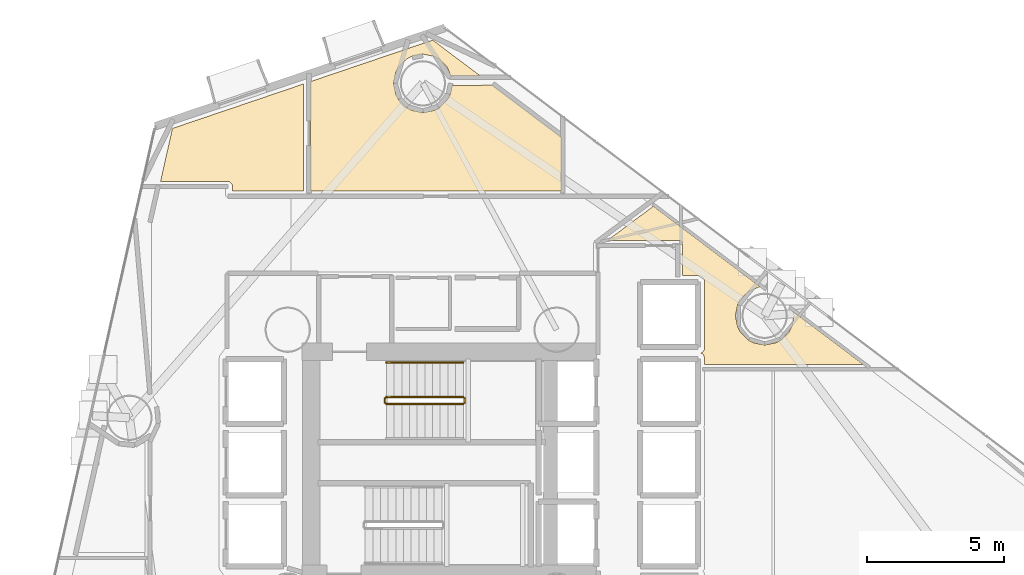
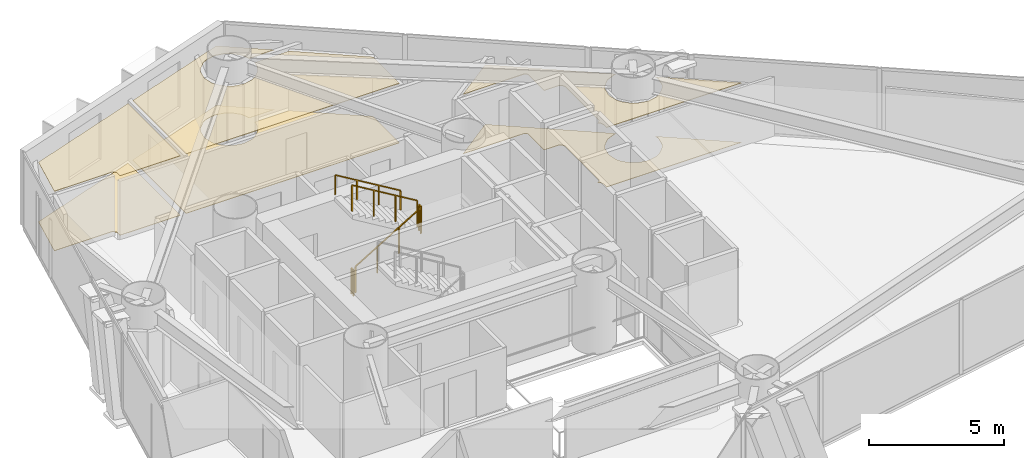
# One storey, part 21 of 22: 6 coverings, 5 railings.
"""IFC4 building model written with IfcOpenShell, lengths in metres."""

from ifc_helpers import new_model, si_unit, direction, frame, origin, origin_2d, place, context, subcontext, project, spatial, polyline, rectangle, outline, extrude, material, layer, layer_set, type_object, element, save


model = new_model("IFC4")

# Units and contexts
model_context = context("Model", 3, precision=1e-05, world=origin(), true_north=direction((0.0, 1.0)))
body_context = subcontext(model_context, "Body", "Model", "MODEL_VIEW")
ifc_project = project(units=[si_unit("LENGTHUNIT", "METRE"), si_unit("AREAUNIT", "SQUARE_METRE"), si_unit("VOLUMEUNIT", "CUBIC_METRE"), si_unit("PLANEANGLEUNIT", "RADIAN"), si_unit("MASSUNIT", "GRAM", prefix="KILO")], contexts=[model_context])

# Site, building, storey
site_placement = place(None, origin())
site = spatial("IfcSite", under=ifc_project, at=site_placement, CompositionType="ELEMENT")
building_placement = place(site_placement, origin())
building = spatial("IfcBuilding", under=site, at=building_placement, Name="Qianvela Tower", CompositionType="ELEMENT")
storey_placement = place(building_placement, frame((0.0, 0.0, 89.5)))
storey = spatial("IfcBuildingStorey", under=building, at=storey_placement, Name="L22", CompositionType="ELEMENT", Elevation=89.5)

# Coverings
ifc_material_1 = material(Name="Perforated Mineral Acoustic Ceiling Tile")
ifc_layer_1 = layer(ifc_material_1, 0.02490234375)
ifc_layer_set_1 = layer_set([ifc_layer_1], Name="Perforated Mineral Acoustic Ceiling Tile")
covering_type_1 = type_object("IfcCoveringType", Name="COV-CEIL-ACOUSTIC-25", PredefinedType="CEILING", material=ifc_layer_set_1)
covering_1_placement = place(storey_placement, frame((0.0, 0.0, 2.695068359375)))
element("IfcCovering", 1, at=covering_1_placement, inside=storey, type_object=covering_type_1, Name="L22 Acoustic Ceiling Digital Research Office L22-03", PredefinedType="CEILING", context=body_context, shape_type="SweptSolid", body=[
    extrude(outline(polyline([(43.65283203125, 32.698486328125), (43.680908203125, 32.70703125), (43.6884765625, 32.709716796875), (43.695556640625, 32.712890625), (43.7021484375, 32.717041015625), (43.70849609375, 32.7216796875), (43.71435546875, 32.72705078125), (43.719482421875, 32.73291015625), (43.771240234375, 32.795654296875), (43.77587890625, 32.802001953125), (43.77978515625, 32.80859375), (43.783203125, 32.815673828125), (43.785888671875, 32.822998046875), (43.787841796875, 32.83056640625), (43.788818359375, 32.83837890625), (43.789306640625, 32.84619140625), (43.79736328125, 35.3271484375), (43.797119140625, 35.334228515625), (43.7958984375, 35.341552734375), (43.79443359375, 35.348388671875), (43.792236328125, 35.35546875), (43.789306640625, 35.362060546875), (43.785888671875, 35.368408203125), (43.7373046875, 35.44921875), (43.732666015625, 35.456298828125), (43.727294921875, 35.462890625), (43.72119140625, 35.46875), (43.71435546875, 35.47412109375), (43.70703125, 35.478515625), (43.699462890625, 35.482177734375), (43.624267578125, 35.51318359375), (43.616943359375, 35.515869140625), (43.609375, 35.517822265625), (43.6015625, 35.518798828125), (43.59375, 35.519287109375), (42.998779296875, 35.52001953125), (42.99169921875, 36.701171875), (42.991455078125, 36.70947265625), (42.989990234375, 36.71728515625), (42.988037109375, 36.725341796875), (42.985107421875, 36.73291015625), (42.9814453125, 36.740234375), (42.97705078125, 36.7470703125), (42.971923828125, 36.75341796875), (42.96630859375, 36.759521484375), (42.9599609375, 36.7646484375), (42.953125, 36.769287109375), (42.946044921875, 36.773193359375), (42.88427734375, 36.80224609375), (42.8759765625, 36.8056640625), (42.867431640625, 36.80810546875), (42.85888671875, 36.8095703125), (42.85009765625, 36.81005859375), (40.26220703125, 36.81005859375), (41.926513671875, 38.049560546875), (45.8349609375, 35.10498046875), (45.78857421875, 35.10302734375), (45.781494140625, 35.102294921875), (45.774658203125, 35.101318359375), (45.767822265625, 35.099365234375), (45.76123046875, 35.096923828125), (45.406005859375, 34.949951171875), (45.399169921875, 34.946533203125), (45.392333984375, 34.9423828125), (45.385986328125, 34.937744140625), (45.380126953125, 34.9326171875), (45.1083984375, 34.660888671875), (45.103271484375, 34.655029296875), (45.098388671875, 34.648681640625), (45.094482421875, 34.641845703125), (45.00341796875, 34.4716796875), (45.0, 34.464599609375), (44.997314453125, 34.457275390625), (44.99560546875, 34.44970703125), (44.92041015625, 34.072509765625), (44.91943359375, 34.064697265625), (44.9189453125, 34.056884765625), (44.91943359375, 34.04931640625), (44.92041015625, 34.04150390625), (44.99560546875, 33.664306640625), (44.997314453125, 33.65673828125), (45.0, 33.6494140625), (45.00341796875, 33.642333984375), (45.094482421875, 33.47216796875), (45.098388671875, 33.46533203125), (45.103271484375, 33.458984375), (45.1083984375, 33.453125), (45.380126953125, 33.181396484375), (45.385986328125, 33.17626953125), (45.392333984375, 33.17138671875), (45.399169921875, 33.16748046875), (45.5693359375, 33.076416015625), (45.576416015625, 33.072998046875), (45.583740234375, 33.0703125), (45.59130859375, 33.068603515625), (45.968505859375, 32.993408203125), (45.976318359375, 32.992431640625), (45.98388671875, 32.991943359375), (45.99169921875, 32.992431640625), (45.99951171875, 32.993408203125), (46.376708984375, 33.068603515625), (46.38427734375, 33.0703125), (46.3916015625, 33.072998046875), (46.398681640625, 33.076416015625), (46.56884765625, 33.16748046875), (46.57568359375, 33.17138671875), (46.58203125, 33.17626953125), (46.587890625, 33.181396484375), (46.859619140625, 33.453125), (46.86474609375, 33.458984375), (46.869384765625, 33.46533203125), (46.87353515625, 33.47216796875), (46.964599609375, 33.642333984375), (46.968017578125, 33.6494140625), (46.970703125, 33.65673828125), (46.972412109375, 33.664306640625), (47.047607421875, 34.04150390625), (47.048583984375, 34.049072265625), (47.049072265625, 34.056640625), (47.048583984375, 34.064208984375), (47.047607421875, 34.07177734375), (47.021484375, 34.211181640625), (49.584716796875, 32.280029296875), (43.800048828125, 32.280029296875), (43.800048828125, 32.5), (43.799560546875, 32.509033203125), (43.7978515625, 32.518310546875), (43.79541015625, 32.527099609375), (43.763427734375, 32.61572265625), (43.7607421875, 32.62255859375), (43.75732421875, 32.629150390625), (43.75341796875, 32.63525390625), (43.748779296875, 32.64111328125), (43.74365234375, 32.646484375), (43.73828125, 32.6513671875), (43.732421875, 32.655517578125), (43.725830078125, 32.659423828125), (43.65283203125, 32.698486328125)])), origin(), (0.0, 0.0, 1.0), 0.02490234375),
])
covering_2_placement = place(storey_placement, frame((0.0, 0.0, 2.695068359375)))
element("IfcCovering", 2, at=covering_2_placement, inside=storey, type_object=covering_type_1, Name="L22 Acoustic Ceiling Student Tea Pantry L22-04", PredefinedType="CEILING", context=body_context, shape_type="SweptSolid", body=[
    extrude(outline(polyline([(29.422119140625, 38.610107421875), (29.422119140625, 42.591552734375), (33.886474609375, 44.106689453125), (35.620361328125, 42.80029296875), (34.5458984375, 42.797607421875), (34.4189453125, 43.106689453125), (34.41552734375, 43.11376953125), (34.41162109375, 43.12060546875), (34.406982421875, 43.126953125), (34.401611328125, 43.1328125), (34.1298828125, 43.404541015625), (34.1240234375, 43.409912109375), (34.11767578125, 43.41455078125), (34.11083984375, 43.418701171875), (33.940673828125, 43.509521484375), (33.93359375, 43.512939453125), (33.92626953125, 43.515625), (33.918701171875, 43.517578125), (33.54150390625, 43.592529296875), (33.53369140625, 43.593505859375), (33.52587890625, 43.593994140625), (33.518310546875, 43.593505859375), (33.510498046875, 43.592529296875), (33.13330078125, 43.517578125), (33.125732421875, 43.515625), (33.118408203125, 43.512939453125), (33.111328125, 43.509521484375), (32.941162109375, 43.418701171875), (32.934326171875, 43.41455078125), (32.927978515625, 43.409912109375), (32.922119140625, 43.404541015625), (32.650390625, 43.1328125), (32.645263671875, 43.126953125), (32.640380859375, 43.12060546875), (32.636474609375, 43.114013671875), (32.54541015625, 42.943603515625), (32.5419921875, 42.9365234375), (32.539306640625, 42.92919921875), (32.53759765625, 42.921630859375), (32.46240234375, 42.544677734375), (32.46142578125, 42.536865234375), (32.4609375, 42.529052734375), (32.46142578125, 42.521240234375), (32.46240234375, 42.513427734375), (32.53759765625, 42.136474609375), (32.539306640625, 42.12890625), (32.5419921875, 42.121337890625), (32.54541015625, 42.1142578125), (32.636474609375, 41.944091796875), (32.640380859375, 41.937255859375), (32.645263671875, 41.930908203125), (32.650390625, 41.92529296875), (32.922119140625, 41.6533203125), (32.927978515625, 41.648193359375), (32.934326171875, 41.6435546875), (32.941162109375, 41.639404296875), (33.111328125, 41.54833984375), (33.118408203125, 41.545166015625), (33.125732421875, 41.54248046875), (33.13330078125, 41.54052734375), (33.510498046875, 41.465576171875), (33.518310546875, 41.46435546875), (33.52587890625, 41.464111328125), (33.53369140625, 41.46435546875), (33.54150390625, 41.465576171875), (33.918701171875, 41.54052734375), (33.92626953125, 41.54248046875), (33.93359375, 41.545166015625), (33.940673828125, 41.54833984375), (34.11083984375, 41.639404296875), (34.11767578125, 41.6435546875), (34.1240234375, 41.648193359375), (34.1298828125, 41.6533203125), (34.401611328125, 41.92529296875), (34.40673828125, 41.930908203125), (34.41162109375, 41.937255859375), (34.41552734375, 41.944091796875), (34.506591796875, 42.1142578125), (34.510009765625, 42.121337890625), (34.5126953125, 42.12890625), (34.568603515625, 42.313720703125), (34.570556640625, 42.321533203125), (34.57177734375, 42.32958984375), (34.583251953125, 42.457763671875), (36.0703125, 42.46142578125), (38.577880859375, 40.572021484375), (38.577880859375, 38.610107421875), (29.422119140625, 38.610107421875)])), origin(), (0.0, 0.0, 1.0), 0.02490234375),
])
covering_3_placement = place(storey_placement, frame((0.0, 0.0, 2.695068359375)))
element("IfcCovering", 3, at=covering_3_placement, inside=storey, type_object=covering_type_1, Name="L22 Acoustic Ceiling Floor Dining Kitchen L22-05", PredefinedType="CEILING", context=body_context, shape_type="SweptSolid", body=[
    extrude(outline(polyline([(29.177978515625, 38.610107421875), (26.57958984375, 38.610107421875), (26.57861328125, 38.81591796875), (26.577880859375, 38.82421875), (26.57666015625, 38.83251953125), (26.574462890625, 38.840576171875), (26.571533203125, 38.84814453125), (26.567626953125, 38.855712890625), (26.563232421875, 38.862548828125), (26.55810546875, 38.868896484375), (26.55224609375, 38.875), (26.481689453125, 38.93896484375), (26.47509765625, 38.944091796875), (26.468017578125, 38.94873046875), (26.46044921875, 38.95263671875), (26.45263671875, 38.955810546875), (26.444580078125, 38.957763671875), (26.436279296875, 38.959228515625), (26.427978515625, 38.959716796875), (23.9658203125, 38.9599609375), (24.39794921875, 40.886474609375), (29.177978515625, 42.5087890625), (29.177978515625, 38.610107421875)])), origin(), (0.0, 0.0, 1.0), 0.02490234375),
])
ifc_material_2 = material(Name="Engineered Acoustic Oak Timber Flooring", Category="wood")
ifc_layer_2 = layer(ifc_material_2, 0.02001953125)
ifc_layer_set_2 = layer_set([ifc_layer_2], Name="Engineered Acoustic Oak Timber Flooring")
covering_type_2 = type_object("IfcCoveringType", Name="COV-FLOOR-OAK-20", PredefinedType="FLOORING", material=ifc_layer_set_2)
covering_4_placement = place(storey_placement, origin())
element("IfcCovering", 4, at=covering_4_placement, inside=storey, type_object=covering_type_2, Name="L22 Finish Flooring Digital Research Office L22-03", PredefinedType="FLOORING", context=body_context, shape_type="SweptSolid", body=[
    extrude(outline(polyline([(43.65283203125, 32.698486328125), (43.680908203125, 32.70703125), (43.6884765625, 32.709716796875), (43.695556640625, 32.712890625), (43.7021484375, 32.717041015625), (43.70849609375, 32.7216796875), (43.71435546875, 32.72705078125), (43.719482421875, 32.73291015625), (43.771240234375, 32.795654296875), (43.77587890625, 32.802001953125), (43.77978515625, 32.80859375), (43.783203125, 32.815673828125), (43.785888671875, 32.822998046875), (43.787841796875, 32.83056640625), (43.788818359375, 32.83837890625), (43.789306640625, 32.84619140625), (43.79736328125, 35.3271484375), (43.797119140625, 35.334228515625), (43.7958984375, 35.341552734375), (43.79443359375, 35.348388671875), (43.792236328125, 35.35546875), (43.789306640625, 35.362060546875), (43.785888671875, 35.368408203125), (43.7373046875, 35.44921875), (43.732666015625, 35.456298828125), (43.727294921875, 35.462890625), (43.72119140625, 35.46875), (43.71435546875, 35.47412109375), (43.70703125, 35.478515625), (43.699462890625, 35.482177734375), (43.624267578125, 35.51318359375), (43.616943359375, 35.515869140625), (43.609375, 35.517822265625), (43.6015625, 35.518798828125), (43.59375, 35.519287109375), (42.998779296875, 35.52001953125), (42.99169921875, 36.701171875), (42.991455078125, 36.70947265625), (42.989990234375, 36.71728515625), (42.988037109375, 36.725341796875), (42.985107421875, 36.73291015625), (42.9814453125, 36.740234375), (42.97705078125, 36.7470703125), (42.971923828125, 36.75341796875), (42.96630859375, 36.759521484375), (42.9599609375, 36.7646484375), (42.953125, 36.769287109375), (42.946044921875, 36.773193359375), (42.88427734375, 36.80224609375), (42.8759765625, 36.8056640625), (42.867431640625, 36.80810546875), (42.85888671875, 36.8095703125), (42.85009765625, 36.81005859375), (40.26220703125, 36.81005859375), (41.926513671875, 38.049560546875), (45.8349609375, 35.10498046875), (45.78857421875, 35.10302734375), (45.781494140625, 35.102294921875), (45.774658203125, 35.101318359375), (45.767822265625, 35.099365234375), (45.76123046875, 35.096923828125), (45.406005859375, 34.949951171875), (45.399169921875, 34.946533203125), (45.392333984375, 34.9423828125), (45.385986328125, 34.937744140625), (45.380126953125, 34.9326171875), (45.1083984375, 34.660888671875), (45.103271484375, 34.655029296875), (45.098388671875, 34.648681640625), (45.094482421875, 34.641845703125), (45.00341796875, 34.4716796875), (45.0, 34.464599609375), (44.997314453125, 34.457275390625), (44.99560546875, 34.44970703125), (44.92041015625, 34.072509765625), (44.91943359375, 34.064697265625), (44.9189453125, 34.056884765625), (44.91943359375, 34.04931640625), (44.92041015625, 34.04150390625), (44.99560546875, 33.664306640625), (44.997314453125, 33.65673828125), (45.0, 33.6494140625), (45.00341796875, 33.642333984375), (45.094482421875, 33.47216796875), (45.098388671875, 33.46533203125), (45.103271484375, 33.458984375), (45.1083984375, 33.453125), (45.380126953125, 33.181396484375), (45.385986328125, 33.17626953125), (45.392333984375, 33.17138671875), (45.399169921875, 33.16748046875), (45.5693359375, 33.076416015625), (45.576416015625, 33.072998046875), (45.583740234375, 33.0703125), (45.59130859375, 33.068603515625), (45.968505859375, 32.993408203125), (45.976318359375, 32.992431640625), (45.98388671875, 32.991943359375), (45.99169921875, 32.992431640625), (45.99951171875, 32.993408203125), (46.376708984375, 33.068603515625), (46.38427734375, 33.0703125), (46.3916015625, 33.072998046875), (46.398681640625, 33.076416015625), (46.56884765625, 33.16748046875), (46.57568359375, 33.17138671875), (46.58203125, 33.17626953125), (46.587890625, 33.181396484375), (46.859619140625, 33.453125), (46.86474609375, 33.458984375), (46.869384765625, 33.46533203125), (46.87353515625, 33.47216796875), (46.964599609375, 33.642333984375), (46.968017578125, 33.6494140625), (46.970703125, 33.65673828125), (46.972412109375, 33.664306640625), (47.047607421875, 34.04150390625), (47.048583984375, 34.049072265625), (47.049072265625, 34.056640625), (47.048583984375, 34.064208984375), (47.047607421875, 34.07177734375), (47.021484375, 34.211181640625), (49.584716796875, 32.280029296875), (43.800048828125, 32.280029296875), (43.800048828125, 32.5), (43.799560546875, 32.509033203125), (43.7978515625, 32.518310546875), (43.79541015625, 32.527099609375), (43.763427734375, 32.61572265625), (43.7607421875, 32.62255859375), (43.75732421875, 32.629150390625), (43.75341796875, 32.63525390625), (43.748779296875, 32.64111328125), (43.74365234375, 32.646484375), (43.73828125, 32.6513671875), (43.732421875, 32.655517578125), (43.725830078125, 32.659423828125), (43.65283203125, 32.698486328125)])), origin(), (0.0, 0.0, 1.0), 0.02001953125),
])
covering_5_placement = place(storey_placement, origin())
element("IfcCovering", 5, at=covering_5_placement, inside=storey, type_object=covering_type_2, Name="L22 Finish Flooring Student Tea Pantry L22-04", PredefinedType="FLOORING", context=body_context, shape_type="SweptSolid", body=[
    extrude(outline(polyline([(29.422119140625, 38.610107421875), (29.422119140625, 42.591552734375), (33.886474609375, 44.106689453125), (35.620361328125, 42.80029296875), (34.5458984375, 42.797607421875), (34.4189453125, 43.106689453125), (34.41552734375, 43.11376953125), (34.41162109375, 43.12060546875), (34.406982421875, 43.126953125), (34.401611328125, 43.1328125), (34.1298828125, 43.404541015625), (34.1240234375, 43.409912109375), (34.11767578125, 43.41455078125), (34.11083984375, 43.418701171875), (33.940673828125, 43.509521484375), (33.93359375, 43.512939453125), (33.92626953125, 43.515625), (33.918701171875, 43.517578125), (33.54150390625, 43.592529296875), (33.53369140625, 43.593505859375), (33.52587890625, 43.593994140625), (33.518310546875, 43.593505859375), (33.510498046875, 43.592529296875), (33.13330078125, 43.517578125), (33.125732421875, 43.515625), (33.118408203125, 43.512939453125), (33.111328125, 43.509521484375), (32.941162109375, 43.418701171875), (32.934326171875, 43.41455078125), (32.927978515625, 43.409912109375), (32.922119140625, 43.404541015625), (32.650390625, 43.1328125), (32.645263671875, 43.126953125), (32.640380859375, 43.12060546875), (32.636474609375, 43.114013671875), (32.54541015625, 42.943603515625), (32.5419921875, 42.9365234375), (32.539306640625, 42.92919921875), (32.53759765625, 42.921630859375), (32.46240234375, 42.544677734375), (32.46142578125, 42.536865234375), (32.4609375, 42.529052734375), (32.46142578125, 42.521240234375), (32.46240234375, 42.513427734375), (32.53759765625, 42.136474609375), (32.539306640625, 42.12890625), (32.5419921875, 42.121337890625), (32.54541015625, 42.1142578125), (32.636474609375, 41.944091796875), (32.640380859375, 41.937255859375), (32.645263671875, 41.930908203125), (32.650390625, 41.92529296875), (32.922119140625, 41.6533203125), (32.927978515625, 41.648193359375), (32.934326171875, 41.6435546875), (32.941162109375, 41.639404296875), (33.111328125, 41.54833984375), (33.118408203125, 41.545166015625), (33.125732421875, 41.54248046875), (33.13330078125, 41.54052734375), (33.510498046875, 41.465576171875), (33.518310546875, 41.46435546875), (33.52587890625, 41.464111328125), (33.53369140625, 41.46435546875), (33.54150390625, 41.465576171875), (33.918701171875, 41.54052734375), (33.92626953125, 41.54248046875), (33.93359375, 41.545166015625), (33.940673828125, 41.54833984375), (34.11083984375, 41.639404296875), (34.11767578125, 41.6435546875), (34.1240234375, 41.648193359375), (34.1298828125, 41.6533203125), (34.401611328125, 41.92529296875), (34.40673828125, 41.930908203125), (34.41162109375, 41.937255859375), (34.41552734375, 41.944091796875), (34.506591796875, 42.1142578125), (34.510009765625, 42.121337890625), (34.5126953125, 42.12890625), (34.568603515625, 42.313720703125), (34.570556640625, 42.321533203125), (34.57177734375, 42.32958984375), (34.583251953125, 42.457763671875), (36.0703125, 42.46142578125), (38.577880859375, 40.572021484375), (38.577880859375, 38.610107421875), (29.422119140625, 38.610107421875)])), origin(), (0.0, 0.0, 1.0), 0.02001953125),
])
covering_6_placement = place(storey_placement, origin())
element("IfcCovering", 6, at=covering_6_placement, inside=storey, type_object=covering_type_2, Name="L22 Finish Flooring Floor Dining Kitchen L22-05", PredefinedType="FLOORING", context=body_context, shape_type="SweptSolid", body=[
    extrude(outline(polyline([(29.177978515625, 38.610107421875), (26.57958984375, 38.610107421875), (26.57861328125, 38.81591796875), (26.577880859375, 38.82421875), (26.57666015625, 38.83251953125), (26.574462890625, 38.840576171875), (26.571533203125, 38.84814453125), (26.567626953125, 38.855712890625), (26.563232421875, 38.862548828125), (26.55810546875, 38.868896484375), (26.55224609375, 38.875), (26.481689453125, 38.93896484375), (26.47509765625, 38.944091796875), (26.468017578125, 38.94873046875), (26.46044921875, 38.95263671875), (26.45263671875, 38.955810546875), (26.444580078125, 38.957763671875), (26.436279296875, 38.959228515625), (26.427978515625, 38.959716796875), (23.9658203125, 38.9599609375), (24.39794921875, 40.886474609375), (29.177978515625, 42.5087890625), (29.177978515625, 38.610107421875)])), origin(), (0.0, 0.0, 1.0), 0.02001953125),
])

# Railings
ifc_material_3 = material(Name="Painted Tubular Steel Q355B", Category="steel")
railing_type_1 = type_object("IfcRailingType", Name="RL-STAIR-GUARD-1200", PredefinedType="GUARDRAIL", material=ifc_material_3)
railing_1_placement = place(storey_placement, frame((32.199951171875, 30.840087890625, 0.168212890625)))
element("IfcRailing", 7, at=railing_1_placement, inside=storey, type_object=railing_type_1, Name="L22 ST-1 stair guard 1", PredefinedType="GUARDRAIL", context=body_context, shape_type="SweptSolid", body=[
    extrude(rectangle(XDim=0.050048828125, YDim=0.0400390625, at=origin_2d()), frame((0.0, 0.0, 1.179931640625), z_axis=(0.857242210791, 0.0, 0.514913383045), x_axis=(0.0, 1.0, 0.0)), (0.0, 0.0, 1.0), 3.266357421875),
    extrude(rectangle(XDim=0.050048828125, YDim=0.050048828125, at=origin_2d()), origin(), (0.0, 0.0, 1.0), 1.159912109375),
    extrude(rectangle(XDim=0.050048828125, YDim=0.050048828125, at=origin_2d()), frame((0.933349609375, 0.0, 0.560546875)), (0.0, 0.0, 1.0), 1.159912109375),
    extrude(rectangle(XDim=0.050048828125, YDim=0.050048828125, at=origin_2d()), frame((1.86669921875, 0.0, 1.121337890625)), (0.0, 0.0, 1.0), 1.159912109375),
    extrude(rectangle(XDim=0.050048828125, YDim=0.050048828125, at=origin_2d()), frame((2.800048828125, 0.0, 1.681884765625)), (0.0, 0.0, 1.0), 1.159912109375),
])
railing_2_placement = place(storey_placement, frame((35.050048828125, 30.889892578125, 1.85009765625)))
element("IfcRailing", 8, at=railing_2_placement, inside=storey, type_object=railing_type_1, Name="L22 ST-1 stair guard 2", PredefinedType="GUARDRAIL", context=body_context, shape_type="SweptSolid", body=[
    extrude(rectangle(XDim=0.050048828125, YDim=0.0400390625, at=origin_2d()), frame((0.0, 0.0, 1.179931640625), z_axis=(0.0, 1.0, 0.0), x_axis=(-1.0, 0.0, 0.0)), (0.0, 0.0, 1.0), 0.16015625),
    extrude(rectangle(XDim=0.050048828125, YDim=0.050048828125, at=origin_2d()), origin(), (0.0, 0.0, 1.0), 1.159912109375),
    extrude(rectangle(XDim=0.050048828125, YDim=0.050048828125, at=origin_2d()), frame((0.0, 0.16015625, 0.0)), (0.0, 0.0, 1.0), 1.159912109375),
])
railing_3_placement = place(storey_placement, frame((35.0, 31.10009765625, 2.01806640625)))
element("IfcRailing", 9, at=railing_3_placement, inside=storey, type_object=railing_type_1, Name="L22 ST-1 stair guard 3", PredefinedType="GUARDRAIL", context=body_context, shape_type="SweptSolid", body=[
    extrude(rectangle(XDim=0.050048828125, YDim=0.0400390625, at=origin_2d()), frame((0.0, 0.0, 1.179931640625), z_axis=(-0.857242210791, 0.0, 0.514913383045), x_axis=(0.0, -1.0, 0.0)), (0.0, 0.0, 1.0), 3.266357421875),
    extrude(rectangle(XDim=0.050048828125, YDim=0.050048828125, at=origin_2d()), origin(), (0.0, 0.0, 1.0), 1.159912109375),
    extrude(rectangle(XDim=0.050048828125, YDim=0.050048828125, at=origin_2d()), frame((-0.933349609375, 0.0, 0.560546875)), (0.0, 0.0, 1.0), 1.159912109375),
    extrude(rectangle(XDim=0.050048828125, YDim=0.050048828125, at=origin_2d()), frame((-1.86669921875, 0.0, 1.121337890625)), (0.0, 0.0, 1.0), 1.159912109375),
    extrude(rectangle(XDim=0.050048828125, YDim=0.050048828125, at=origin_2d()), frame((-2.800048828125, 0.0, 1.681884765625)), (0.0, 0.0, 1.0), 1.159912109375),
])
railing_4_placement = place(storey_placement, frame((32.14990234375, 30.889892578125, 0.0)))
element("IfcRailing", 10, at=railing_4_placement, inside=storey, type_object=railing_type_1, Name="L22 ST-1 stair guard 4", PredefinedType="GUARDRAIL", context=body_context, shape_type="SweptSolid", body=[
    extrude(rectangle(XDim=0.050048828125, YDim=0.0400390625, at=origin_2d()), frame((0.0, 0.0, 1.179931640625), z_axis=(0.0, 1.0, 0.0), x_axis=(-1.0, 0.0, 0.0)), (0.0, 0.0, 1.0), 0.16015625),
    extrude(rectangle(XDim=0.050048828125, YDim=0.050048828125, at=origin_2d()), origin(), (0.0, 0.0, 1.0), 1.159912109375),
    extrude(rectangle(XDim=0.050048828125, YDim=0.050048828125, at=origin_2d()), frame((0.0, 0.16015625, 0.0)), (0.0, 0.0, 1.0), 1.159912109375),
])
ifc_material_4 = material(Name="Brushed Stainless Steel 304", Category="steel")
railing_type_2 = type_object("IfcRailingType", Name="RL-STAIR-HANDRAIL-900", PredefinedType="HANDRAIL", material=ifc_material_4)
railing_5_placement = place(storey_placement, frame((35.0, 32.35009765625, 2.01806640625)))
element("IfcRailing", 11, at=railing_5_placement, inside=storey, type_object=railing_type_2, Name="L22 ST-1 stair handrail 2", PredefinedType="HANDRAIL", context=body_context, shape_type="SweptSolid", body=[
    extrude(rectangle(XDim=0.050048828125, YDim=0.0400390625, at=origin_2d()), frame((0.0, 0.0, 0.8798828125), z_axis=(-0.857242210791, 0.0, 0.514913383045), x_axis=(0.0, -1.0, 0.0)), (0.0, 0.0, 1.0), 3.266357421875),
    extrude(rectangle(XDim=0.050048828125, YDim=0.050048828125, at=origin_2d()), origin(), (0.0, 0.0, 1.0), 0.85986328125),
    extrude(rectangle(XDim=0.050048828125, YDim=0.050048828125, at=origin_2d()), frame((-0.933349609375, 0.0, 0.560546875)), (0.0, 0.0, 1.0), 0.85986328125),
    extrude(rectangle(XDim=0.050048828125, YDim=0.050048828125, at=origin_2d()), frame((-1.86669921875, 0.0, 1.121337890625)), (0.0, 0.0, 1.0), 0.85986328125),
    extrude(rectangle(XDim=0.050048828125, YDim=0.050048828125, at=origin_2d()), frame((-2.800048828125, 0.0, 1.681884765625)), (0.0, 0.0, 1.0), 0.85986328125),
])

save(model, "model.ifc")
